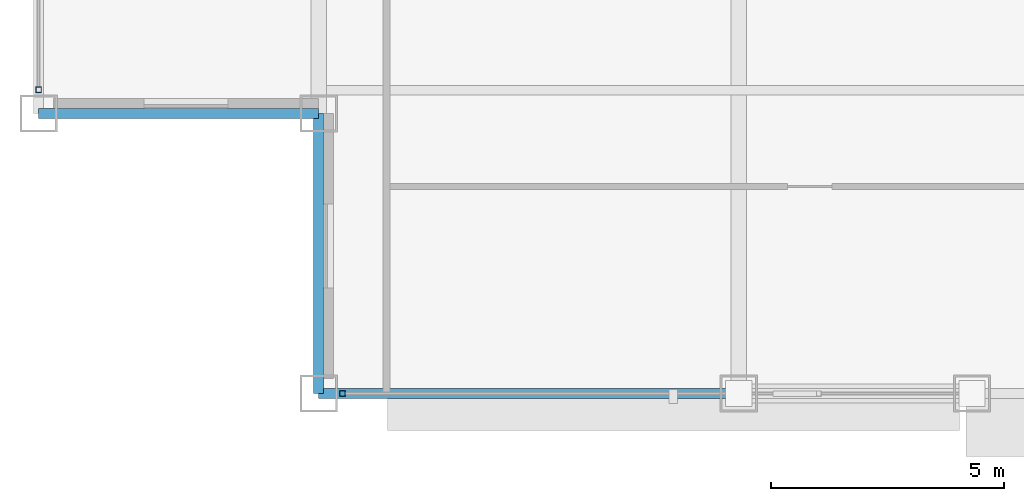
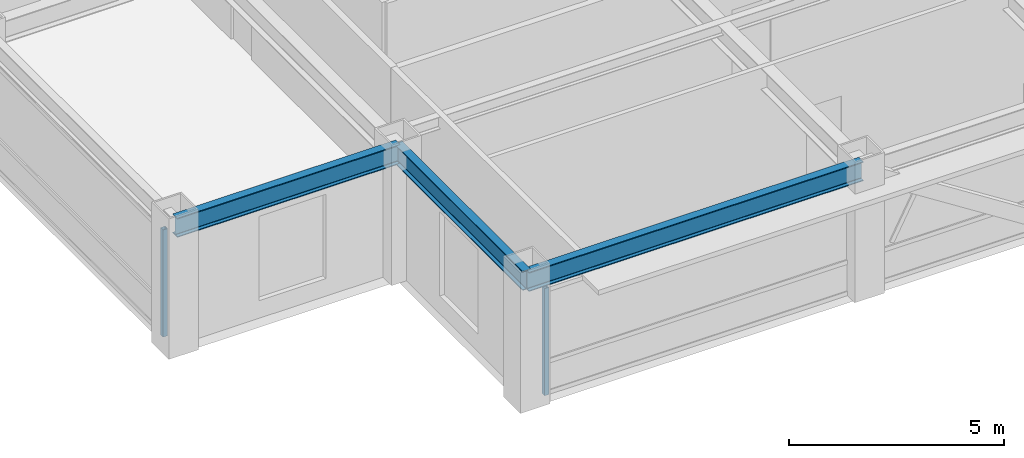
# One storey, part 2 of 32: 3 beams, 2 members, 2 elements without a shape of their own.
"""IFC4 building model written with IfcOpenShell, lengths in metres."""

from ifc_helpers import new_model, si_unit, direction, frame, origin, origin_2d, place, context, subcontext, project, spatial, hollow_rectangle, i_section, extrude, source, transform, mapped, material, material_profile, profile_set, type_object, element, aggregate, save


model = new_model("IFC4")

# Units and contexts
model_context = context("Model", 3, precision=1e-05, world=origin(), true_north=direction((0.0, 1.0)))
body_context = subcontext(model_context, "Body", "Model", "MODEL_VIEW")
ifc_project = project(units=[si_unit("LENGTHUNIT", "METRE"), si_unit("AREAUNIT", "SQUARE_METRE"), si_unit("VOLUMEUNIT", "CUBIC_METRE"), si_unit("PLANEANGLEUNIT", "RADIAN"), si_unit("MASSUNIT", "GRAM", prefix="KILO")], contexts=[model_context])

# Site, building, storey
site_placement = place(None, origin())
site = spatial("IfcSite", under=ifc_project, at=site_placement, CompositionType="ELEMENT")
building_placement = place(site_placement, origin())
building = spatial("IfcBuilding", under=site, at=building_placement, Name="Khorayat Bourse Tower", CompositionType="ELEMENT")
storey_placement = place(building_placement, frame((0.0, 0.0, 342.300048828125)))
storey = spatial("IfcBuildingStorey", under=building, at=storey_placement, Name="L81", CompositionType="ELEMENT", Elevation=342.300048828125)

# Beams
ifc_material_1 = material(Name="Steel ASTM A992 Grade 50", Category="steel")
ifc_material_profile_1 = material_profile(ifc_material_1, i_section(OverallWidth=0.214111328125, OverallDepth=0.549072265625, WebThickness=0.0146484375, FlangeThickness=0.023681640625, FilletRadius=0.013916015625, at=origin_2d()), Name="W530X138")
ifc_profile_set_1 = profile_set([ifc_material_profile_1], Name="Steel ASTM A992 Grade 50")
beam_type = type_object("IfcBeamType", Name="BM-SPAN-530", PredefinedType="SPANDREL", material=ifc_profile_set_1)
shared_shape_1 = source(origin(), body_context, "Body", "SweptSolid", [
    extrude(i_section(OverallWidth=0.214111328125, OverallDepth=0.549072265625, WebThickness=0.0146484375, FlangeThickness=0.023681640625, FilletRadius=0.013916015625, at=origin_2d()), origin(), (0.0, 0.0, 1.0), 9.0),
])
beam_placement = place(storey_placement, frame((-20.0, -26.0, 3.425537109375), z_axis=(1.0, 0.0, 0.0), x_axis=(0.0, 1.0, 0.0)))
element("IfcBeam", 1, at=beam_placement, inside=storey, type_object=beam_type, Name="L81 BM-SPAN-530 BM-L81-SPN-021", PredefinedType="SPANDREL", context=body_context, shape_type="MappedRepresentation", body=[
    mapped(shared_shape_1, transform((0.0, 0.0, 0.0), scale=1.0)),
])
shared_shape_2 = source(origin(), body_context, "Body", "SweptSolid", [
    extrude(i_section(OverallWidth=0.214111328125, OverallDepth=0.549072265625, WebThickness=0.0146484375, FlangeThickness=0.023681640625, FilletRadius=0.013916015625, at=origin_2d()), origin(), (0.0, 0.0, 1.0), 6.0),
])
for number, where, z_axis, x_axis, name in (
    (2, (-26.0, -20.0, 3.425537109375), (1.0, 0.0, 0.0), (0.0, 1.0, 0.0), "L81 BM-SPAN-530 BM-L81-SPN-051"),
    (3, (-20.0, -26.0, 3.425537109375), (0.0, 1.0, 0.0), (-1.0, 0.0, 0.0), "L81 BM-SPAN-530 BM-L81-SPN-052"),
):
    element("IfcBeam", number, at=place(storey_placement, frame(where, z_axis=z_axis, x_axis=x_axis)), inside=storey, type_object=beam_type, Name=name, PredefinedType="SPANDREL", context=body_context, shape_type="MappedRepresentation", body=[
        mapped(shared_shape_2, transform((0.0, 0.0, 0.0), scale=1.0)),
    ])

# Curtain wall, member
ifc_material_2 = material(Name="Aluminium EN AW-6063 T6", Category="aluminium")
curtain_wall_type = type_object("IfcCurtainWallType", Name="CW-SYS-04", PredefinedType="NOTDEFINED", material=ifc_material_2)
curtain_wall_1_placement = place(storey_placement, origin())
curtain_wall_1 = element("IfcCurtainWall", 4, at=curtain_wall_1_placement, inside=storey, type_object=curtain_wall_type, Name="L81 Curtain Wall CW-L81-S1", PredefinedType="NOTDEFINED")
ifc_material_profile_2 = material_profile(ifc_material_2, hollow_rectangle(XDim=0.1201171875, YDim=0.1201171875, WallThickness=0.0048828125, at=origin_2d()), Name="ALU 120x120x5")
ifc_profile_set_2 = profile_set([ifc_material_profile_2], Name="Aluminium EN AW-6063 T6")
member_type = type_object("IfcMemberType", Name="CWM-VERT-120", PredefinedType="MULLION", material=ifc_profile_set_2)
shared_shape_3 = source(origin(), body_context, "Body", "SweptSolid", [
    extrude(hollow_rectangle(XDim=0.1201171875, YDim=0.1201171875, WallThickness=0.0048828125, at=origin_2d()), origin(), (0.0, 0.0, 1.0), 3.050048828125),
])
member_1_placement = place(storey_placement, frame((-19.489990234375, -26.0, 0.0), z_axis=(0.0, 0.0, 1.0), x_axis=(0.0, 1.0, 0.0)))
member_1 = element("IfcMember", 5, at=member_1_placement, type_object=member_type, Name="CW-L81-S1 Vertical Mullion 1", PredefinedType="MULLION", context=body_context, shape_type="MappedRepresentation", body=[
    mapped(shared_shape_3, transform((0.0, 0.0, 0.0), scale=1.0)),
])
aggregate(curtain_wall_1, [member_1])

curtain_wall_2_placement = place(storey_placement, origin())
curtain_wall_2 = element("IfcCurtainWall", 6, at=curtain_wall_2_placement, inside=storey, type_object=curtain_wall_type, Name="L81 Curtain Wall CW-L81-W1", PredefinedType="NOTDEFINED")
member_2_placement = place(storey_placement, frame((-26.0, -19.489990234375, 0.0), z_axis=(0.0, 0.0, 1.0), x_axis=(-1.0, 0.0, 0.0)))
member_2 = element("IfcMember", 7, at=member_2_placement, type_object=member_type, Name="CW-L81-W1 Vertical Mullion 1", PredefinedType="MULLION", context=body_context, shape_type="MappedRepresentation", body=[
    mapped(shared_shape_3, transform((0.0, 0.0, 0.0), scale=1.0)),
])
aggregate(curtain_wall_2, [member_2])

save(model, "model.ifc")
